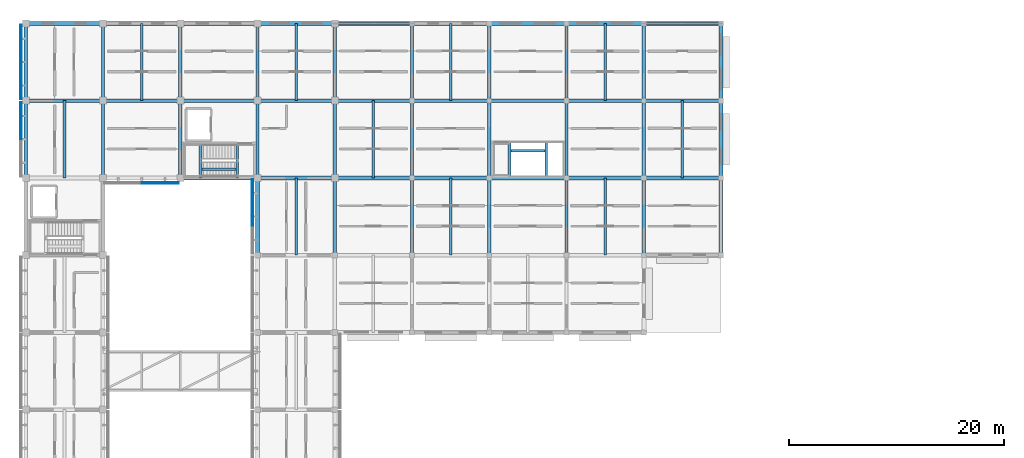
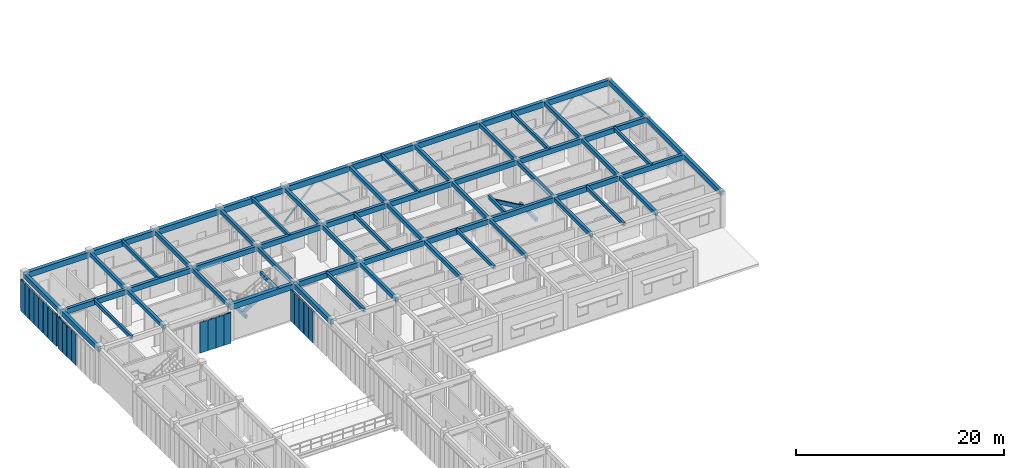
# One storey, part 10 of 91: 68 beams, 25 members, 4 elements without a shape of their own.
"""IFC4 building model written with IfcOpenShell, lengths in metres."""

from ifc_helpers import new_model, si_unit, direction, frame, origin, origin_2d, place, context, subcontext, project, spatial, rectangle, hollow_rectangle, extrude, material, material_profile, profile_set, type_object, element, aggregate, save


model = new_model("IFC4")

# Units and contexts
model_context = context("Model", 3, precision=1e-05, world=origin(), true_north=direction((0.0, 1.0)))
body_context = subcontext(model_context, "Body", "Model", "MODEL_VIEW")
ifc_project = project(units=[si_unit("LENGTHUNIT", "METRE"), si_unit("AREAUNIT", "SQUARE_METRE"), si_unit("VOLUMEUNIT", "CUBIC_METRE"), si_unit("PLANEANGLEUNIT", "RADIAN"), si_unit("MASSUNIT", "GRAM", prefix="KILO")], contexts=[model_context])

# Site, building, storey
site_placement = place(None, origin())
site = spatial("IfcSite", under=ifc_project, at=site_placement, CompositionType="ELEMENT")
building_placement = place(site_placement, origin())
building = spatial("IfcBuilding", under=site, at=building_placement, Name="Aldebral Square Health Centre", CompositionType="ELEMENT")
storey_placement = place(building_placement, frame((0.0, 0.0, 9.0)))
storey = spatial("IfcBuildingStorey", under=building, at=storey_placement, Name="L02", CompositionType="ELEMENT", Elevation=9.0)

# Beams
ifc_material_1 = material(Name="Concrete C40/50", Category="concrete")
ifc_material_profile_1 = material_profile(ifc_material_1, rectangle(XDim=0.39990234375, YDim=0.64990234375, at=origin_2d()), Name="RC 400x650")
ifc_profile_set_1 = profile_set([ifc_material_profile_1], Name="Concrete C40/50")
beam_type_1 = type_object("IfcBeamType", Name="BM-B1", PredefinedType="BEAM", material=ifc_profile_set_1)
for number, where, z_axis, x_axis, name in (
    (1, (0.0, 115.199951171875, 3.9150390625), (1.0, 0.0, 0.0), (0.0, 1.0, 0.0), "L02 X-beam 1-2/G17"),
    (2, (7.199951171875, 115.199951171875, 3.9150390625), (1.0, 0.0, 0.0), (0.0, 1.0, 0.0), "L02 X-beam 2-3/G17"),
):
    element("IfcBeam", number, at=place(storey_placement, frame(where, z_axis=z_axis, x_axis=x_axis)), inside=storey, type_object=beam_type_1, Name=name, PredefinedType="BEAM", context=body_context, shape_type="SweptSolid", body=[
        extrude(rectangle(XDim=0.39990234375, YDim=0.64990234375, at=origin_2d()), origin(), (0.0, 0.0, 1.0), 7.199951171875),
    ])
for number, where, z_axis, x_axis, name in (
    (3, (14.39990234375, 100.800048828125, 3.9150390625), (1.0, 0.0, 0.0), (0.0, 1.0, 0.0), "L02 X-beam 3-4/G15"),
    (4, (14.39990234375, 115.199951171875, 3.9150390625), (1.0, 0.0, 0.0), (0.0, 1.0, 0.0), "L02 X-beam 3-4/G17"),
):
    element("IfcBeam", number, at=place(storey_placement, frame(where, z_axis=z_axis, x_axis=x_axis)), inside=storey, type_object=beam_type_1, Name=name, PredefinedType="BEAM", context=body_context, shape_type="SweptSolid", body=[
        extrude(rectangle(XDim=0.39990234375, YDim=0.64990234375, at=origin_2d()), origin(), (0.0, 0.0, 1.0), 7.2001953125),
    ])
for number, where, z_axis, x_axis, name in (
    (5, (21.60009765625, 115.199951171875, 3.9150390625), (1.0, 0.0, 0.0), (0.0, 1.0, 0.0), "L02 X-beam 4-5/G17"),
    (6, (28.800048828125, 115.199951171875, 3.9150390625), (1.0, 0.0, 0.0), (0.0, 1.0, 0.0), "L02 X-beam 5-6/G17"),
    (7, (36.0, 115.199951171875, 3.9150390625), (1.0, 0.0, 0.0), (0.0, 1.0, 0.0), "L02 X-beam 6-7/G17"),
    (8, (43.199951171875, 115.199951171875, 3.9150390625), (1.0, 0.0, 0.0), (0.0, 1.0, 0.0), "L02 X-beam 7-8/G17"),
):
    element("IfcBeam", number, at=place(storey_placement, frame(where, z_axis=z_axis, x_axis=x_axis)), inside=storey, type_object=beam_type_1, Name=name, PredefinedType="BEAM", context=body_context, shape_type="SweptSolid", body=[
        extrude(rectangle(XDim=0.39990234375, YDim=0.64990234375, at=origin_2d()), origin(), (0.0, 0.0, 1.0), 7.199951171875),
    ])
beam_1_placement = place(storey_placement, frame((50.39990234375, 115.199951171875, 3.9150390625), z_axis=(1.0, 0.0, 0.0), x_axis=(0.0, 1.0, 0.0)))
element("IfcBeam", 9, at=beam_1_placement, inside=storey, type_object=beam_type_1, Name="L02 X-beam 8-9/G17", PredefinedType="BEAM", context=body_context, shape_type="SweptSolid", body=[
    extrude(rectangle(XDim=0.39990234375, YDim=0.64990234375, at=origin_2d()), origin(), (0.0, 0.0, 1.0), 7.2001953125),
])
beam_2_placement = place(storey_placement, frame((57.60009765625, 115.199951171875, 3.9150390625), z_axis=(1.0, 0.0, 0.0), x_axis=(0.0, 1.0, 0.0)))
element("IfcBeam", 10, at=beam_2_placement, inside=storey, type_object=beam_type_1, Name="L02 X-beam 9-10/G17", PredefinedType="BEAM", context=body_context, shape_type="SweptSolid", body=[
    extrude(rectangle(XDim=0.39990234375, YDim=0.64990234375, at=origin_2d()), origin(), (0.0, 0.0, 1.0), 7.199951171875),
])
ifc_material_profile_2 = material_profile(ifc_material_1, rectangle(XDim=0.35009765625, YDim=0.60009765625, at=origin_2d()), Name="RC 350x600")
ifc_profile_set_2 = profile_set([ifc_material_profile_2], Name="Concrete C40/50")
beam_type_2 = type_object("IfcBeamType", Name="BM-B2", PredefinedType="BEAM", material=ifc_profile_set_2)
for number, where, z_axis, x_axis, name in (
    (11, (0.0, 108.0, 3.93994140625), (1.0, 0.0, 0.0), (0.0, 1.0, 0.0), "L02 X-beam 1-2/G16"),
    (12, (7.199951171875, 108.0, 3.93994140625), (1.0, 0.0, 0.0), (0.0, 1.0, 0.0), "L02 X-beam 2-3/G16"),
):
    element("IfcBeam", number, at=place(storey_placement, frame(where, z_axis=z_axis, x_axis=x_axis)), inside=storey, type_object=beam_type_2, Name=name, PredefinedType="BEAM", context=body_context, shape_type="SweptSolid", body=[
        extrude(rectangle(XDim=0.35009765625, YDim=0.60009765625, at=origin_2d()), origin(), (0.0, 0.0, 1.0), 7.199951171875),
    ])
beam_3_placement = place(storey_placement, frame((14.39990234375, 108.0, 3.93994140625), z_axis=(1.0, 0.0, 0.0), x_axis=(0.0, 1.0, 0.0)))
element("IfcBeam", 13, at=beam_3_placement, inside=storey, type_object=beam_type_2, Name="L02 X-beam 3-4/G16", PredefinedType="BEAM", context=body_context, shape_type="SweptSolid", body=[
    extrude(rectangle(XDim=0.35009765625, YDim=0.60009765625, at=origin_2d()), origin(), (0.0, 0.0, 1.0), 7.2001953125),
])
for number, where, z_axis, x_axis, name in (
    (14, (21.60009765625, 100.800048828125, 3.93994140625), (1.0, 0.0, 0.0), (0.0, 1.0, 0.0), "L02 X-beam 4-5/G15"),
    (15, (21.60009765625, 108.0, 3.93994140625), (1.0, 0.0, 0.0), (0.0, 1.0, 0.0), "L02 X-beam 4-5/G16"),
    (16, (28.800048828125, 100.800048828125, 3.93994140625), (1.0, 0.0, 0.0), (0.0, 1.0, 0.0), "L02 X-beam 5-6/G15"),
    (17, (28.800048828125, 108.0, 3.93994140625), (1.0, 0.0, 0.0), (0.0, 1.0, 0.0), "L02 X-beam 5-6/G16"),
    (18, (36.0, 100.800048828125, 3.93994140625), (1.0, 0.0, 0.0), (0.0, 1.0, 0.0), "L02 X-beam 6-7/G15"),
    (19, (36.0, 108.0, 3.93994140625), (1.0, 0.0, 0.0), (0.0, 1.0, 0.0), "L02 X-beam 6-7/G16"),
    (20, (43.199951171875, 100.800048828125, 3.93994140625), (1.0, 0.0, 0.0), (0.0, 1.0, 0.0), "L02 X-beam 7-8/G15"),
    (21, (43.199951171875, 108.0, 3.93994140625), (1.0, 0.0, 0.0), (0.0, 1.0, 0.0), "L02 X-beam 7-8/G16"),
):
    element("IfcBeam", number, at=place(storey_placement, frame(where, z_axis=z_axis, x_axis=x_axis)), inside=storey, type_object=beam_type_2, Name=name, PredefinedType="BEAM", context=body_context, shape_type="SweptSolid", body=[
        extrude(rectangle(XDim=0.35009765625, YDim=0.60009765625, at=origin_2d()), origin(), (0.0, 0.0, 1.0), 7.199951171875),
    ])
for number, where, z_axis, x_axis, name in (
    (22, (50.39990234375, 100.800048828125, 3.93994140625), (1.0, 0.0, 0.0), (0.0, 1.0, 0.0), "L02 X-beam 8-9/G15"),
    (23, (50.39990234375, 108.0, 3.93994140625), (1.0, 0.0, 0.0), (0.0, 1.0, 0.0), "L02 X-beam 8-9/G16"),
):
    element("IfcBeam", number, at=place(storey_placement, frame(where, z_axis=z_axis, x_axis=x_axis)), inside=storey, type_object=beam_type_2, Name=name, PredefinedType="BEAM", context=body_context, shape_type="SweptSolid", body=[
        extrude(rectangle(XDim=0.35009765625, YDim=0.60009765625, at=origin_2d()), origin(), (0.0, 0.0, 1.0), 7.2001953125),
    ])
for number, where, z_axis, x_axis, name in (
    (24, (57.60009765625, 100.800048828125, 3.93994140625), (1.0, 0.0, 0.0), (0.0, 1.0, 0.0), "L02 X-beam 9-10/G15"),
    (25, (57.60009765625, 108.0, 3.93994140625), (1.0, 0.0, 0.0), (0.0, 1.0, 0.0), "L02 X-beam 9-10/G16"),
):
    element("IfcBeam", number, at=place(storey_placement, frame(where, z_axis=z_axis, x_axis=x_axis)), inside=storey, type_object=beam_type_2, Name=name, PredefinedType="BEAM", context=body_context, shape_type="SweptSolid", body=[
        extrude(rectangle(XDim=0.35009765625, YDim=0.60009765625, at=origin_2d()), origin(), (0.0, 0.0, 1.0), 7.199951171875),
    ])
ifc_material_profile_3 = material_profile(ifc_material_1, rectangle(XDim=0.35009765625, YDim=0.550048828125, at=origin_2d()), Name="RC 350x550")
ifc_profile_set_3 = profile_set([ifc_material_profile_3], Name="Concrete C40/50")
beam_type_3 = type_object("IfcBeamType", Name="BM-B3", PredefinedType="BEAM", material=ifc_profile_set_3)
for number, where, z_axis, x_axis, name in (
    (26, (0.0, 100.800048828125, 3.965087890625), (0.0, 1.0, 0.0), (-1.0, 0.0, 0.0), "L02 Y-beam G1/15-16"),
    (27, (0.0, 108.0, 3.965087890625), (0.0, 1.0, 0.0), (-1.0, 0.0, 0.0), "L02 Y-beam G1/16-17"),
    (28, (21.60009765625, 93.60009765625, 3.965087890625), (0.0, 1.0, 0.0), (-1.0, 0.0, 0.0), "L02 Y-beam G4/14-15"),
    (29, (64.800048828125, 93.60009765625, 3.965087890625), (0.0, 1.0, 0.0), (-1.0, 0.0, 0.0), "L02 Y-beam G10/14-15"),
    (30, (64.800048828125, 100.800048828125, 3.965087890625), (0.0, 1.0, 0.0), (-1.0, 0.0, 0.0), "L02 Y-beam G10/15-16"),
    (31, (64.800048828125, 108.0, 3.965087890625), (0.0, 1.0, 0.0), (-1.0, 0.0, 0.0), "L02 Y-beam G10/16-17"),
):
    element("IfcBeam", number, at=place(storey_placement, frame(where, z_axis=z_axis, x_axis=x_axis)), inside=storey, type_object=beam_type_3, Name=name, PredefinedType="BEAM", context=body_context, shape_type="SweptSolid", body=[
        extrude(rectangle(XDim=0.35009765625, YDim=0.550048828125, at=origin_2d()), origin(), (0.0, 0.0, 1.0), 7.199951171875),
    ])
ifc_material_profile_4 = material_profile(ifc_material_1, rectangle(XDim=0.300048828125, YDim=0.449951171875, at=origin_2d()), Name="RC 300x450")
ifc_profile_set_4 = profile_set([ifc_material_profile_4], Name="Concrete C40/50")
beam_type_4 = type_object("IfcBeamType", Name="BM-B5", PredefinedType="BEAM", material=ifc_profile_set_4)
for number, where, z_axis, x_axis, name in (
    (32, (7.199951171875, 100.800048828125, 4.014892578125), (0.0, 1.0, 0.0), (-1.0, 0.0, 0.0), "L02 Y-beam G2/15-16"),
    (33, (7.199951171875, 108.0, 4.014892578125), (0.0, 1.0, 0.0), (-1.0, 0.0, 0.0), "L02 Y-beam G2/16-17"),
    (34, (14.39990234375, 100.800048828125, 4.014892578125), (0.0, 1.0, 0.0), (-1.0, 0.0, 0.0), "L02 Y-beam G3/15-16"),
    (35, (14.39990234375, 108.0, 4.014892578125), (0.0, 1.0, 0.0), (-1.0, 0.0, 0.0), "L02 Y-beam G3/16-17"),
    (36, (21.60009765625, 100.800048828125, 4.014892578125), (0.0, 1.0, 0.0), (-1.0, 0.0, 0.0), "L02 Y-beam G4/15-16"),
    (37, (21.60009765625, 108.0, 4.014892578125), (0.0, 1.0, 0.0), (-1.0, 0.0, 0.0), "L02 Y-beam G4/16-17"),
    (38, (28.800048828125, 93.60009765625, 4.014892578125), (0.0, 1.0, 0.0), (-1.0, 0.0, 0.0), "L02 Y-beam G5/14-15"),
    (39, (28.800048828125, 100.800048828125, 4.014892578125), (0.0, 1.0, 0.0), (-1.0, 0.0, 0.0), "L02 Y-beam G5/15-16"),
    (40, (28.800048828125, 108.0, 4.014892578125), (0.0, 1.0, 0.0), (-1.0, 0.0, 0.0), "L02 Y-beam G5/16-17"),
    (41, (36.0, 93.60009765625, 4.014892578125), (0.0, 1.0, 0.0), (-1.0, 0.0, 0.0), "L02 Y-beam G6/14-15"),
    (42, (36.0, 100.800048828125, 4.014892578125), (0.0, 1.0, 0.0), (-1.0, 0.0, 0.0), "L02 Y-beam G6/15-16"),
    (43, (36.0, 108.0, 4.014892578125), (0.0, 1.0, 0.0), (-1.0, 0.0, 0.0), "L02 Y-beam G6/16-17"),
    (44, (43.199951171875, 93.60009765625, 4.014892578125), (0.0, 1.0, 0.0), (-1.0, 0.0, 0.0), "L02 Y-beam G7/14-15"),
    (45, (43.199951171875, 100.800048828125, 4.014892578125), (0.0, 1.0, 0.0), (-1.0, 0.0, 0.0), "L02 Y-beam G7/15-16"),
    (46, (43.199951171875, 108.0, 4.014892578125), (0.0, 1.0, 0.0), (-1.0, 0.0, 0.0), "L02 Y-beam G7/16-17"),
    (47, (50.39990234375, 93.60009765625, 4.014892578125), (0.0, 1.0, 0.0), (-1.0, 0.0, 0.0), "L02 Y-beam G8/14-15"),
    (48, (50.39990234375, 100.800048828125, 4.014892578125), (0.0, 1.0, 0.0), (-1.0, 0.0, 0.0), "L02 Y-beam G8/15-16"),
    (49, (50.39990234375, 108.0, 4.014892578125), (0.0, 1.0, 0.0), (-1.0, 0.0, 0.0), "L02 Y-beam G8/16-17"),
    (50, (57.60009765625, 93.60009765625, 4.014892578125), (0.0, 1.0, 0.0), (-1.0, 0.0, 0.0), "L02 Y-beam G9/14-15"),
    (51, (57.60009765625, 100.800048828125, 4.014892578125), (0.0, 1.0, 0.0), (-1.0, 0.0, 0.0), "L02 Y-beam G9/15-16"),
    (52, (57.60009765625, 108.0, 4.014892578125), (0.0, 1.0, 0.0), (-1.0, 0.0, 0.0), "L02 Y-beam G9/16-17"),
):
    element("IfcBeam", number, at=place(storey_placement, frame(where, z_axis=z_axis, x_axis=x_axis)), inside=storey, type_object=beam_type_4, Name=name, PredefinedType="BEAM", context=body_context, shape_type="SweptSolid", body=[
        extrude(rectangle(XDim=0.300048828125, YDim=0.449951171875, at=origin_2d()), origin(), (0.0, 0.0, 1.0), 7.199951171875),
    ])
ifc_material_profile_5 = material_profile(ifc_material_1, rectangle(XDim=0.25, YDim=0.39990234375, at=origin_2d()), Name="RC 250x400")
ifc_profile_set_5 = profile_set([ifc_material_profile_5], Name="Concrete C40/50")
beam_type_5 = type_object("IfcBeamType", Name="BM-B6", PredefinedType="JOIST", material=ifc_profile_set_5)
for number, where, z_axis, x_axis, name in (
    (53, (3.60009765625, 100.800048828125, 4.0400390625), (0.0, 1.0, 0.0), (-1.0, 0.0, 0.0), "L02 secondary rib 1.15"),
    (54, (10.800048828125, 108.0, 4.0400390625), (0.0, 1.0, 0.0), (-1.0, 0.0, 0.0), "L02 secondary rib 2.16"),
    (55, (25.199951171875, 93.60009765625, 4.0400390625), (0.0, 1.0, 0.0), (-1.0, 0.0, 0.0), "L02 secondary rib 4.14"),
    (56, (25.199951171875, 108.0, 4.0400390625), (0.0, 1.0, 0.0), (-1.0, 0.0, 0.0), "L02 secondary rib 4.16"),
    (57, (32.39990234375, 100.800048828125, 4.0400390625), (0.0, 1.0, 0.0), (-1.0, 0.0, 0.0), "L02 secondary rib 5.15"),
    (58, (39.60009765625, 93.60009765625, 4.0400390625), (0.0, 1.0, 0.0), (-1.0, 0.0, 0.0), "L02 secondary rib 6.14"),
    (59, (39.60009765625, 108.0, 4.0400390625), (0.0, 1.0, 0.0), (-1.0, 0.0, 0.0), "L02 secondary rib 6.16"),
    (60, (54.0, 93.60009765625, 4.0400390625), (0.0, 1.0, 0.0), (-1.0, 0.0, 0.0), "L02 secondary rib 8.14"),
    (61, (54.0, 108.0, 4.0400390625), (0.0, 1.0, 0.0), (-1.0, 0.0, 0.0), "L02 secondary rib 8.16"),
    (62, (61.199951171875, 100.800048828125, 4.0400390625), (0.0, 1.0, 0.0), (-1.0, 0.0, 0.0), "L02 secondary rib 9.15"),
):
    element("IfcBeam", number, at=place(storey_placement, frame(where, z_axis=z_axis, x_axis=x_axis)), inside=storey, type_object=beam_type_5, Name=name, PredefinedType="JOIST", context=body_context, shape_type="SweptSolid", body=[
        extrude(rectangle(XDim=0.25, YDim=0.39990234375, at=origin_2d()), origin(), (0.0, 0.0, 1.0), 7.199951171875),
    ])
for number, where, z_axis, x_axis, name in (
    (63, (16.280029296875, 100.81005859375, 2.050048828125), (0.0, 1.0, 0.0), (-1.0, 0.0, 0.0), "L02 WC-C2 half-landing beam"),
    (64, (19.719970703125, 100.81005859375, 4.0400390625), (0.0, 1.0, 0.0), (-1.0, 0.0, 0.0), "L02 WC-C2 upper landing beam"),
):
    element("IfcBeam", number, at=place(storey_placement, frame(where, z_axis=z_axis, x_axis=x_axis)), inside=storey, type_object=beam_type_5, Name=name, PredefinedType="JOIST", context=body_context, shape_type="SweptSolid", body=[
        extrude(rectangle(XDim=0.25, YDim=0.39990234375, at=origin_2d()), origin(), (0.0, 0.0, 1.0), 3.219970703125),
    ])
beam_4_placement = place(storey_placement, frame((16.280029296875, 101.6201171875, 2.050048828125), z_axis=(0.865595878586, 0.0, 0.500743222595), x_axis=(0.0, 1.0, 0.0)))
element("IfcBeam", 65, at=beam_4_placement, inside=storey, type_object=beam_type_5, Name="L02 WC-C2 flight stringer beam", PredefinedType="JOIST", context=body_context, shape_type="SweptSolid", body=[
    extrude(rectangle(XDim=0.25, YDim=0.39990234375, at=origin_2d()), origin(), (0.0, 0.0, 1.0), 3.97412109375),
])
for number, where, z_axis, x_axis, name in (
    (66, (48.52001953125, 100.929931640625, 2.050048828125), (0.0, 1.0, 0.0), (-1.0, 0.0, 0.0), "L02 WS-S6 half-landing beam"),
    (67, (45.080078125, 100.929931640625, 4.0400390625), (0.0, 1.0, 0.0), (-1.0, 0.0, 0.0), "L02 WS-S6 upper landing beam"),
):
    element("IfcBeam", number, at=place(storey_placement, frame(where, z_axis=z_axis, x_axis=x_axis)), inside=storey, type_object=beam_type_5, Name=name, PredefinedType="JOIST", context=body_context, shape_type="SweptSolid", body=[
        extrude(rectangle(XDim=0.25, YDim=0.39990234375, at=origin_2d()), origin(), (0.0, 0.0, 1.0), 3.219970703125),
    ])
beam_5_placement = place(storey_placement, frame((48.52001953125, 103.340087890625, 2.050048828125), z_axis=(-0.865595878586, 0.0, 0.500743222595), x_axis=(0.0, -1.0, 0.0)))
element("IfcBeam", 68, at=beam_5_placement, inside=storey, type_object=beam_type_5, Name="L02 WS-S6 flight stringer beam", PredefinedType="JOIST", context=body_context, shape_type="SweptSolid", body=[
    extrude(rectangle(XDim=0.25, YDim=0.39990234375, at=origin_2d()), origin(), (0.0, 0.0, 1.0), 3.97412109375),
])

# Curtain wall, members
ifc_material_2 = material(Name="Aluminium and low-E solar glass", Category="aluminium")
curtain_wall_type = type_object("IfcCurtainWallType", Name="CW-FIN-SYS", PredefinedType="USERDEFINED", material=ifc_material_2)
curtain_wall_1_placement = place(storey_placement, origin())
curtain_wall_1 = element("IfcCurtainWall", 69, at=curtain_wall_1_placement, inside=storey, type_object=curtain_wall_type, Name="L02 V4 finned curtain wall L02-V4-00-14-W", ObjectType="SOLAR_CURTAIN_WALL", PredefinedType="USERDEFINED")
ifc_material_3 = material(Name="Sienna-terracotta clad aluminium fin", Category="masonry")
ifc_material_profile_6 = material_profile(ifc_material_3, hollow_rectangle(XDim=0.159912109375, YDim=0.85009765625, WallThickness=0.006103515625, at=origin_2d()), Name="FIN 160x850x6")
ifc_profile_set_6 = profile_set([ifc_material_profile_6], Name="Sienna-terracotta clad aluminium fin")
member_type_1 = type_object("IfcMemberType", Name="CWM-FIN", PredefinedType="MULLION", material=ifc_profile_set_6)
member_1_placement = place(storey_placement, frame((-0.4599609375, 107.43994140625, 0.0), z_axis=(0.0, 0.0, 1.0), x_axis=(1.0, 0.0, 0.0)))
member_1 = element("IfcMember", 70, at=member_1_placement, type_object=member_type_1, Name="CW1 mullion 1", PredefinedType="MULLION", context=body_context, shape_type="SweptSolid", body=[
    extrude(hollow_rectangle(XDim=0.159912109375, YDim=0.85009765625, WallThickness=0.006103515625, at=origin_2d()), origin(), (0.0, 0.0, 1.0), 3.68994140625),
])
member_2_placement = place(storey_placement, frame((-0.4599609375, 106.628662109375, 0.0), z_axis=(0.0, 0.0, 1.0), x_axis=(1.0, 0.0, 0.0)))
member_2 = element("IfcMember", 71, at=member_2_placement, type_object=member_type_1, Name="CW1 mullion 2", PredefinedType="MULLION", context=body_context, shape_type="SweptSolid", body=[
    extrude(hollow_rectangle(XDim=0.159912109375, YDim=0.85009765625, WallThickness=0.006103515625, at=origin_2d()), origin(), (0.0, 0.0, 1.0), 3.68994140625),
])
member_3_placement = place(storey_placement, frame((-0.4599609375, 105.737060546875, 0.0), z_axis=(0.0, 0.0, 1.0), x_axis=(1.0, 0.0, 0.0)))
member_3 = element("IfcMember", 72, at=member_3_placement, type_object=member_type_1, Name="CW1 mullion 3", PredefinedType="MULLION", context=body_context, shape_type="SweptSolid", body=[
    extrude(hollow_rectangle(XDim=0.159912109375, YDim=0.85009765625, WallThickness=0.006103515625, at=origin_2d()), origin(), (0.0, 0.0, 1.0), 3.68994140625),
])
member_4_placement = place(storey_placement, frame((-0.4599609375, 104.845703125, 0.0), z_axis=(0.0, 0.0, 1.0), x_axis=(1.0, 0.0, 0.0)))
member_4 = element("IfcMember", 73, at=member_4_placement, type_object=member_type_1, Name="CW1 mullion 4", PredefinedType="MULLION", context=body_context, shape_type="SweptSolid", body=[
    extrude(hollow_rectangle(XDim=0.159912109375, YDim=0.85009765625, WallThickness=0.006103515625, at=origin_2d()), origin(), (0.0, 0.0, 1.0), 3.68994140625),
])
aggregate(curtain_wall_1, [member_1, member_2, member_3, member_4])

curtain_wall_2_placement = place(storey_placement, origin())
curtain_wall_2 = element("IfcCurtainWall", 74, at=curtain_wall_2_placement, inside=storey, type_object=curtain_wall_type, Name="L02 V4 finned curtain wall L02-V4-00-15-W", ObjectType="SOLAR_CURTAIN_WALL", PredefinedType="USERDEFINED")
member_5_placement = place(storey_placement, frame((-0.4599609375, 114.639892578125, 0.0), z_axis=(0.0, 0.0, 1.0), x_axis=(1.0, 0.0, 0.0)))
member_5 = element("IfcMember", 75, at=member_5_placement, type_object=member_type_1, Name="CW1 mullion 1", PredefinedType="MULLION", context=body_context, shape_type="SweptSolid", body=[
    extrude(hollow_rectangle(XDim=0.159912109375, YDim=0.85009765625, WallThickness=0.006103515625, at=origin_2d()), origin(), (0.0, 0.0, 1.0), 3.68994140625),
])
member_6_placement = place(storey_placement, frame((-0.4599609375, 113.82861328125, 0.0), z_axis=(0.0, 0.0, 1.0), x_axis=(1.0, 0.0, 0.0)))
member_6 = element("IfcMember", 76, at=member_6_placement, type_object=member_type_1, Name="CW1 mullion 2", PredefinedType="MULLION", context=body_context, shape_type="SweptSolid", body=[
    extrude(hollow_rectangle(XDim=0.159912109375, YDim=0.85009765625, WallThickness=0.006103515625, at=origin_2d()), origin(), (0.0, 0.0, 1.0), 3.68994140625),
])
member_7_placement = place(storey_placement, frame((-0.4599609375, 112.937255859375, 0.0), z_axis=(0.0, 0.0, 1.0), x_axis=(1.0, 0.0, 0.0)))
member_7 = element("IfcMember", 77, at=member_7_placement, type_object=member_type_1, Name="CW1 mullion 3", PredefinedType="MULLION", context=body_context, shape_type="SweptSolid", body=[
    extrude(hollow_rectangle(XDim=0.159912109375, YDim=0.85009765625, WallThickness=0.006103515625, at=origin_2d()), origin(), (0.0, 0.0, 1.0), 3.68994140625),
])
member_8_placement = place(storey_placement, frame((-0.4599609375, 112.045654296875, 0.0), z_axis=(0.0, 0.0, 1.0), x_axis=(1.0, 0.0, 0.0)))
member_8 = element("IfcMember", 78, at=member_8_placement, type_object=member_type_1, Name="CW1 mullion 4", PredefinedType="MULLION", context=body_context, shape_type="SweptSolid", body=[
    extrude(hollow_rectangle(XDim=0.159912109375, YDim=0.85009765625, WallThickness=0.006103515625, at=origin_2d()), origin(), (0.0, 0.0, 1.0), 3.68994140625),
])
member_9_placement = place(storey_placement, frame((-0.4599609375, 111.154296875, 0.0), z_axis=(0.0, 0.0, 1.0), x_axis=(1.0, 0.0, 0.0)))
member_9 = element("IfcMember", 79, at=member_9_placement, type_object=member_type_1, Name="CW1 mullion 5", PredefinedType="MULLION", context=body_context, shape_type="SweptSolid", body=[
    extrude(hollow_rectangle(XDim=0.159912109375, YDim=0.85009765625, WallThickness=0.006103515625, at=origin_2d()), origin(), (0.0, 0.0, 1.0), 3.68994140625),
])
member_10_placement = place(storey_placement, frame((-0.4599609375, 110.262939453125, 0.0), z_axis=(0.0, 0.0, 1.0), x_axis=(1.0, 0.0, 0.0)))
member_10 = element("IfcMember", 80, at=member_10_placement, type_object=member_type_1, Name="CW1 mullion 6", PredefinedType="MULLION", context=body_context, shape_type="SweptSolid", body=[
    extrude(hollow_rectangle(XDim=0.159912109375, YDim=0.85009765625, WallThickness=0.006103515625, at=origin_2d()), origin(), (0.0, 0.0, 1.0), 3.68994140625),
])
member_11_placement = place(storey_placement, frame((-0.4599609375, 109.371337890625, 0.0), z_axis=(0.0, 0.0, 1.0), x_axis=(1.0, 0.0, 0.0)))
member_11 = element("IfcMember", 81, at=member_11_placement, type_object=member_type_1, Name="CW1 mullion 7", PredefinedType="MULLION", context=body_context, shape_type="SweptSolid", body=[
    extrude(hollow_rectangle(XDim=0.159912109375, YDim=0.85009765625, WallThickness=0.006103515625, at=origin_2d()), origin(), (0.0, 0.0, 1.0), 3.68994140625),
])
member_12_placement = place(storey_placement, frame((-0.4599609375, 108.56005859375, 0.0), z_axis=(0.0, 0.0, 1.0), x_axis=(1.0, 0.0, 0.0)))
member_12 = element("IfcMember", 82, at=member_12_placement, type_object=member_type_1, Name="CW1 mullion 8", PredefinedType="MULLION", context=body_context, shape_type="SweptSolid", body=[
    extrude(hollow_rectangle(XDim=0.159912109375, YDim=0.85009765625, WallThickness=0.006103515625, at=origin_2d()), origin(), (0.0, 0.0, 1.0), 3.68994140625),
])
aggregate(curtain_wall_2, [member_5, member_6, member_7, member_8, member_9, member_10, member_11, member_12])

curtain_wall_3_placement = place(storey_placement, origin())
curtain_wall_3 = element("IfcCurtainWall", 83, at=curtain_wall_3_placement, inside=storey, type_object=curtain_wall_type, Name="L02 V4 finned curtain wall L02-V4-01-14-S", ObjectType="SOLAR_CURTAIN_WALL", PredefinedType="USERDEFINED")
member_13_placement = place(storey_placement, frame((11.24560546875, 100.340087890625, 0.0), z_axis=(0.0, 0.0, 1.0), x_axis=(0.0, 1.0, 0.0)))
member_13 = element("IfcMember", 84, at=member_13_placement, type_object=member_type_1, Name="CW1 mullion 5", PredefinedType="MULLION", context=body_context, shape_type="SweptSolid", body=[
    extrude(hollow_rectangle(XDim=0.159912109375, YDim=0.85009765625, WallThickness=0.006103515625, at=origin_2d()), origin(), (0.0, 0.0, 1.0), 3.590087890625),
])
member_14_placement = place(storey_placement, frame((12.13720703125, 100.340087890625, 0.0), z_axis=(0.0, 0.0, 1.0), x_axis=(0.0, 1.0, 0.0)))
member_14 = element("IfcMember", 85, at=member_14_placement, type_object=member_type_1, Name="CW1 mullion 6", PredefinedType="MULLION", context=body_context, shape_type="SweptSolid", body=[
    extrude(hollow_rectangle(XDim=0.159912109375, YDim=0.85009765625, WallThickness=0.006103515625, at=origin_2d()), origin(), (0.0, 0.0, 1.0), 3.590087890625),
])
member_15_placement = place(storey_placement, frame((13.028564453125, 100.340087890625, 0.0), z_axis=(0.0, 0.0, 1.0), x_axis=(0.0, 1.0, 0.0)))
member_15 = element("IfcMember", 86, at=member_15_placement, type_object=member_type_1, Name="CW1 mullion 7", PredefinedType="MULLION", context=body_context, shape_type="SweptSolid", body=[
    extrude(hollow_rectangle(XDim=0.159912109375, YDim=0.85009765625, WallThickness=0.006103515625, at=origin_2d()), origin(), (0.0, 0.0, 1.0), 3.590087890625),
])
member_16_placement = place(storey_placement, frame((13.840087890625, 100.340087890625, 0.0), z_axis=(0.0, 0.0, 1.0), x_axis=(0.0, 1.0, 0.0)))
member_16 = element("IfcMember", 87, at=member_16_placement, type_object=member_type_1, Name="CW1 mullion 8", PredefinedType="MULLION", context=body_context, shape_type="SweptSolid", body=[
    extrude(hollow_rectangle(XDim=0.159912109375, YDim=0.85009765625, WallThickness=0.006103515625, at=origin_2d()), origin(), (0.0, 0.0, 1.0), 3.590087890625),
])
aggregate(curtain_wall_3, [member_13, member_14, member_15, member_16])

curtain_wall_4_placement = place(storey_placement, origin())
curtain_wall_4 = element("IfcCurtainWall", 88, at=curtain_wall_4_placement, inside=storey, type_object=curtain_wall_type, Name="L02 V4 finned curtain wall L02-V4-03-13-W", ObjectType="SOLAR_CURTAIN_WALL", PredefinedType="USERDEFINED")
member_17_placement = place(storey_placement, frame((21.139892578125, 100.239990234375, 0.0), z_axis=(0.0, 0.0, 1.0), x_axis=(1.0, 0.0, 0.0)))
member_17 = element("IfcMember", 89, at=member_17_placement, type_object=member_type_1, Name="CW1 mullion 1", PredefinedType="MULLION", context=body_context, shape_type="SweptSolid", body=[
    extrude(hollow_rectangle(XDim=0.159912109375, YDim=0.85009765625, WallThickness=0.006103515625, at=origin_2d()), origin(), (0.0, 0.0, 1.0), 3.68994140625),
])
member_18_placement = place(storey_placement, frame((21.139892578125, 99.428466796875, 0.0), z_axis=(0.0, 0.0, 1.0), x_axis=(1.0, 0.0, 0.0)))
member_18 = element("IfcMember", 90, at=member_18_placement, type_object=member_type_1, Name="CW1 mullion 2", PredefinedType="MULLION", context=body_context, shape_type="SweptSolid", body=[
    extrude(hollow_rectangle(XDim=0.159912109375, YDim=0.85009765625, WallThickness=0.006103515625, at=origin_2d()), origin(), (0.0, 0.0, 1.0), 3.68994140625),
])
member_19_placement = place(storey_placement, frame((21.139892578125, 98.537109375, 0.0), z_axis=(0.0, 0.0, 1.0), x_axis=(1.0, 0.0, 0.0)))
member_19 = element("IfcMember", 91, at=member_19_placement, type_object=member_type_1, Name="CW1 mullion 3", PredefinedType="MULLION", context=body_context, shape_type="SweptSolid", body=[
    extrude(hollow_rectangle(XDim=0.159912109375, YDim=0.85009765625, WallThickness=0.006103515625, at=origin_2d()), origin(), (0.0, 0.0, 1.0), 3.68994140625),
])
member_20_placement = place(storey_placement, frame((21.139892578125, 97.645751953125, 0.0), z_axis=(0.0, 0.0, 1.0), x_axis=(1.0, 0.0, 0.0)))
member_20 = element("IfcMember", 92, at=member_20_placement, type_object=member_type_1, Name="CW1 mullion 4", PredefinedType="MULLION", context=body_context, shape_type="SweptSolid", body=[
    extrude(hollow_rectangle(XDim=0.159912109375, YDim=0.85009765625, WallThickness=0.006103515625, at=origin_2d()), origin(), (0.0, 0.0, 1.0), 3.68994140625),
])
member_21_placement = place(storey_placement, frame((21.139892578125, 96.75439453125, 0.0), z_axis=(0.0, 0.0, 1.0), x_axis=(1.0, 0.0, 0.0)))
member_21 = element("IfcMember", 93, at=member_21_placement, type_object=member_type_1, Name="CW1 mullion 5", PredefinedType="MULLION", context=body_context, shape_type="SweptSolid", body=[
    extrude(hollow_rectangle(XDim=0.159912109375, YDim=0.85009765625, WallThickness=0.006103515625, at=origin_2d()), origin(), (0.0, 0.0, 1.0), 3.68994140625),
])
aggregate(curtain_wall_4, [member_17, member_18, member_19, member_20, member_21])

# Members
ifc_material_4 = material(Name="Steel S355JR", Category="steel")
ifc_material_profile_7 = material_profile(ifc_material_4, hollow_rectangle(XDim=0.14990234375, YDim=0.14990234375, WallThickness=0.008056640625, at=origin_2d()), Name="150x150x8 SHS")
ifc_profile_set_7 = profile_set([ifc_material_profile_7], Name="Steel S355JR")
member_type_2 = type_object("IfcMemberType", Name="MEM-BR2", PredefinedType="BRACE", material=ifc_profile_set_7)
for number, where, z_axis, x_axis, name in (
    (94, (28.800048828125, 115.199951171875, 0.0), (0.676854631126, 0.0, 0.736116708358), (0.0, 1.0, 0.0), "L02 exterior north chevron brace L 5"),
    (95, (36.0, 115.199951171875, 0.0), (-0.676879503872, 0.0, 0.73609383725), (0.0, -1.0, 0.0), "L02 exterior north chevron brace R 5"),
    (96, (57.60009765625, 115.199951171875, 0.0), (0.676854631126, 0.0, 0.736116708358), (0.0, 1.0, 0.0), "L02 exterior north chevron brace L 9"),
    (97, (64.800048828125, 115.199951171875, 0.0), (-0.676879503872, 0.0, 0.73609383725), (0.0, -1.0, 0.0), "L02 exterior north chevron brace R 9"),
):
    element("IfcMember", number, at=place(storey_placement, frame(where, z_axis=z_axis, x_axis=x_axis)), inside=storey, type_object=member_type_2, Name=name, PredefinedType="BRACE", context=body_context, shape_type="SweptSolid", body=[
        extrude(hollow_rectangle(XDim=0.14990234375, YDim=0.14990234375, WallThickness=0.008056640625, at=origin_2d()), origin(), (0.0, 0.0, 1.0), 5.318603515625),
    ])

save(model, "model.ifc")
